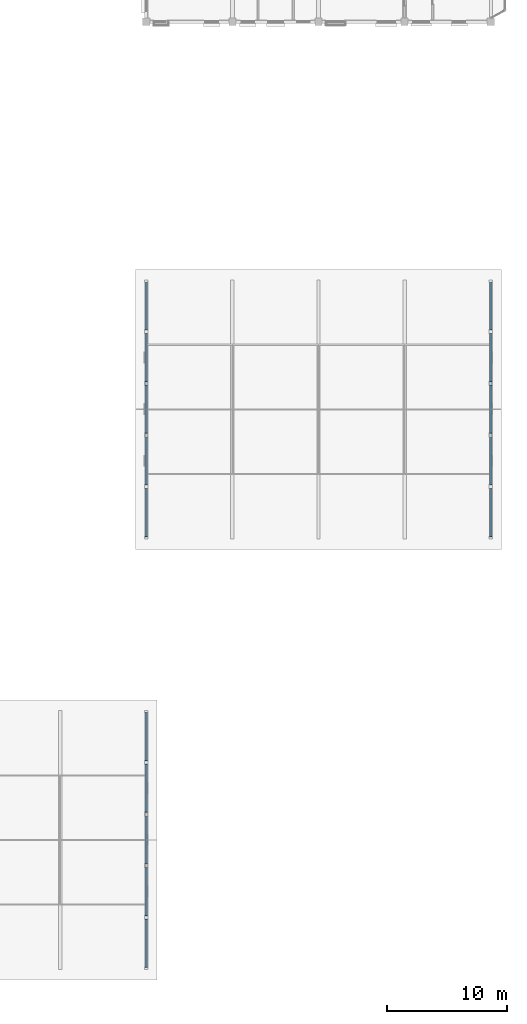
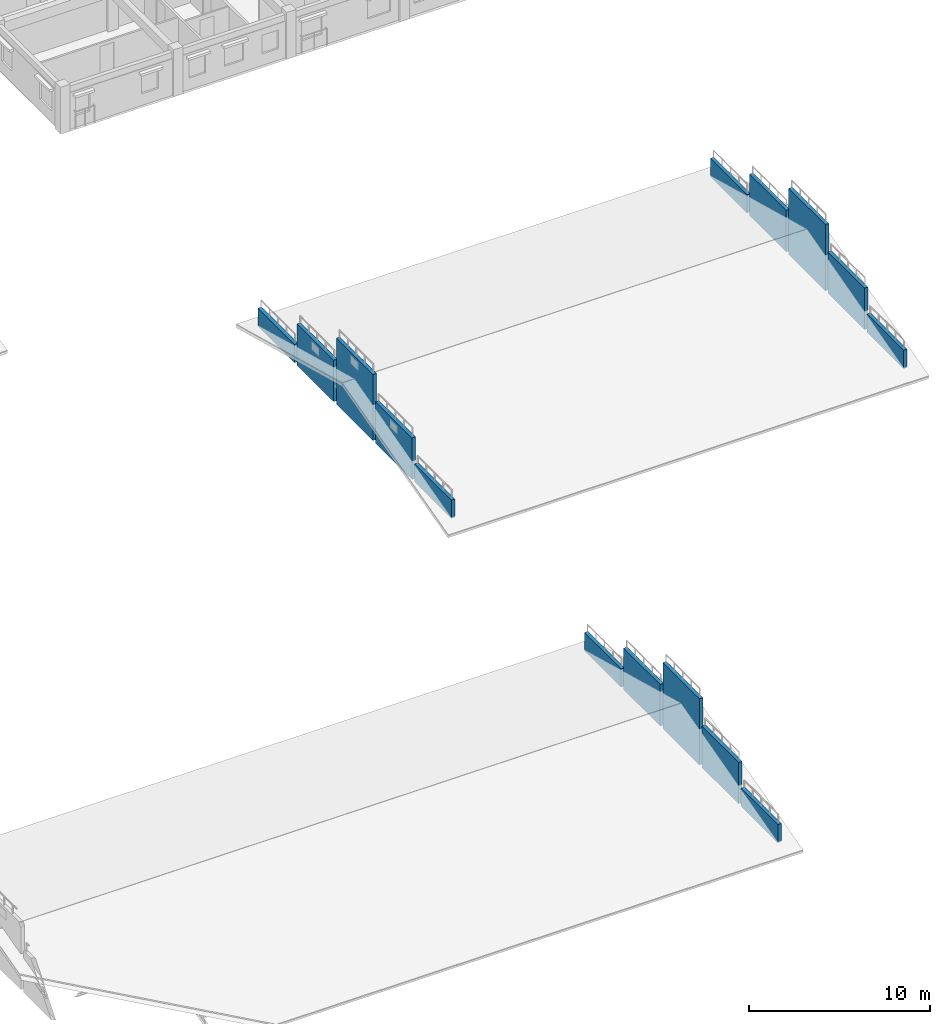
# One storey, part 95 of 124: 15 walls.
"""IFC4 building model written with IfcOpenShell, lengths in metres."""

from ifc_helpers import new_model, si_unit, direction, frame, frame_2d, origin, place, context, subcontext, project, spatial, rectangle, extrude, material, layer, layer_set, type_object, element, save


model = new_model("IFC4")

# Units and contexts
model_context = context("Model", 3, precision=1e-05, world=origin(), true_north=direction((0.0, 1.0)))
body_context = subcontext(model_context, "Body", "Model", "MODEL_VIEW")
ifc_project = project(units=[si_unit("LENGTHUNIT", "METRE"), si_unit("AREAUNIT", "SQUARE_METRE"), si_unit("VOLUMEUNIT", "CUBIC_METRE"), si_unit("PLANEANGLEUNIT", "RADIAN"), si_unit("MASSUNIT", "GRAM", prefix="KILO"), si_unit("THERMODYNAMICTEMPERATUREUNIT", "KELVIN"), si_unit("POWERUNIT", "WATT")], contexts=[model_context])

# Site, building, storey
site_placement = place(None, origin())
site = spatial("IfcSite", under=ifc_project, at=site_placement, CompositionType="ELEMENT")
building_placement = place(site_placement, origin())
building = spatial("IfcBuilding", under=site, at=building_placement, Name="Tavuni Mirador Residences", CompositionType="ELEMENT")
storey_placement = place(building_placement, frame((0.0, 0.0, 7.64990234375)))
storey = spatial("IfcBuildingStorey", under=building, at=storey_placement, Name="L02", CompositionType="ELEMENT", Elevation=7.64990234375)

# Walls
ifc_material = material(Name="Precast concrete C40/50", Category="concrete")
ifc_layer = layer(ifc_material, 0.22509765625, Name="Precast concrete C40/50", Category="concrete")
ifc_layer_set = layer_set([ifc_layer], Name="Precast concrete C40/50")
wall_type = type_object("IfcWallType", Name="WT-PAR225", PredefinedType="PARAPET", material=ifc_layer_set)
wall_1_placement = place(storey_placement, frame((90.0, 43.340087890625, 0.0), z_axis=(0.0, 0.0, 1.0), x_axis=(0.0, 1.0, 0.0)))
element("IfcWall", 1, at=wall_1_placement, inside=storey, type_object=wall_type, Name="CORON-PAV-NURS-X0-0", PredefinedType="PARAPET", context=body_context, shape_type="SweptSolid", body=[
    extrude(rectangle(XDim=4.039794921875, YDim=0.22509765625, at=frame_2d((2.02001953125, 0.0))), origin(), (0.0, 0.0, 1.0), 1.22998046875),
])
wall_2_placement = place(storey_placement, frame((90.0, 47.659912109375, 0.0), z_axis=(0.0, 0.0, 1.0), x_axis=(0.0, 1.0, 0.0)))
element("IfcWall", 2, at=wall_2_placement, inside=storey, type_object=wall_type, Name="CORON-PAV-NURS-X0-1", PredefinedType="PARAPET", context=body_context, shape_type="SweptSolid", body=[
    extrude(rectangle(XDim=4.0400390625, YDim=0.22509765625, at=frame_2d((2.02001953125, 0.0))), origin(), (0.0, 0.0, 1.0), 2.7900390625),
])
wall_3_placement = place(storey_placement, frame((90.0, 51.97998046875, 0.0), z_axis=(0.0, 0.0, 1.0), x_axis=(0.0, 1.0, 0.0)))
element("IfcWall", 3, at=wall_3_placement, inside=storey, type_object=wall_type, Name="CORON-PAV-NURS-X0-2", PredefinedType="PARAPET", context=body_context, shape_type="SweptSolid", body=[
    extrude(rectangle(XDim=4.0400390625, YDim=0.22509765625, at=frame_2d((2.02001953125, 0.0))), origin(), (0.0, 0.0, 1.0), 4.4501953125),
])
wall_4_placement = place(storey_placement, frame((90.0, 56.300048828125, 0.0), z_axis=(0.0, 0.0, 1.0), x_axis=(0.0, 1.0, 0.0)))
element("IfcWall", 4, at=wall_4_placement, inside=storey, type_object=wall_type, Name="CORON-PAV-NURS-X0-3", PredefinedType="PARAPET", context=body_context, shape_type="SweptSolid", body=[
    extrude(rectangle(XDim=4.0400390625, YDim=0.22509765625, at=frame_2d((2.02001953125, 0.0))), origin(), (0.0, 0.0, 1.0), 2.7900390625),
])
for number, where, z_axis, x_axis, name in (
    (5, (90.0, 60.6201171875, 0.0), (0.0, 0.0, 1.0), (0.0, 1.0, 0.0), "CORON-PAV-NURS-X0-4"),
    (6, (118.800048828125, 43.340087890625, 0.0), (0.0, 0.0, 1.0), (0.0, 1.0, 0.0), "CORON-PAV-NURS-X1-0"),
):
    element("IfcWall", number, at=place(storey_placement, frame(where, z_axis=z_axis, x_axis=x_axis)), inside=storey, type_object=wall_type, Name=name, PredefinedType="PARAPET", context=body_context, shape_type="SweptSolid", body=[
        extrude(rectangle(XDim=4.039794921875, YDim=0.22509765625, at=frame_2d((2.02001953125, 0.0))), origin(), (0.0, 0.0, 1.0), 1.22998046875),
    ])
wall_5_placement = place(storey_placement, frame((118.800048828125, 47.659912109375, 0.0), z_axis=(0.0, 0.0, 1.0), x_axis=(0.0, 1.0, 0.0)))
element("IfcWall", 7, at=wall_5_placement, inside=storey, type_object=wall_type, Name="CORON-PAV-NURS-X1-1", PredefinedType="PARAPET", context=body_context, shape_type="SweptSolid", body=[
    extrude(rectangle(XDim=4.0400390625, YDim=0.22509765625, at=frame_2d((2.02001953125, 0.0))), origin(), (0.0, 0.0, 1.0), 2.7900390625),
])
wall_6_placement = place(storey_placement, frame((118.800048828125, 51.97998046875, 0.0), z_axis=(0.0, 0.0, 1.0), x_axis=(0.0, 1.0, 0.0)))
element("IfcWall", 8, at=wall_6_placement, inside=storey, type_object=wall_type, Name="CORON-PAV-NURS-X1-2", PredefinedType="PARAPET", context=body_context, shape_type="SweptSolid", body=[
    extrude(rectangle(XDim=4.0400390625, YDim=0.22509765625, at=frame_2d((2.02001953125, 0.0))), origin(), (0.0, 0.0, 1.0), 4.4501953125),
])
wall_7_placement = place(storey_placement, frame((118.800048828125, 56.300048828125, 0.0), z_axis=(0.0, 0.0, 1.0), x_axis=(0.0, 1.0, 0.0)))
element("IfcWall", 9, at=wall_7_placement, inside=storey, type_object=wall_type, Name="CORON-PAV-NURS-X1-3", PredefinedType="PARAPET", context=body_context, shape_type="SweptSolid", body=[
    extrude(rectangle(XDim=4.0400390625, YDim=0.22509765625, at=frame_2d((2.02001953125, 0.0))), origin(), (0.0, 0.0, 1.0), 2.7900390625),
])
for number, where, z_axis, x_axis, name in (
    (10, (118.800048828125, 60.6201171875, 0.0), (0.0, 0.0, 1.0), (0.0, 1.0, 0.0), "CORON-PAV-NURS-X1-4"),
    (11, (90.0, 7.340087890625, 0.0), (0.0, 0.0, 1.0), (0.0, 1.0, 0.0), "CORON-PAV-SHOP-X1-0"),
):
    element("IfcWall", number, at=place(storey_placement, frame(where, z_axis=z_axis, x_axis=x_axis)), inside=storey, type_object=wall_type, Name=name, PredefinedType="PARAPET", context=body_context, shape_type="SweptSolid", body=[
        extrude(rectangle(XDim=4.039794921875, YDim=0.22509765625, at=frame_2d((2.02001953125, 0.0))), origin(), (0.0, 0.0, 1.0), 1.22998046875),
    ])
wall_8_placement = place(storey_placement, frame((90.0, 11.659912109375, 0.0), z_axis=(0.0, 0.0, 1.0), x_axis=(0.0, 1.0, 0.0)))
element("IfcWall", 12, at=wall_8_placement, inside=storey, type_object=wall_type, Name="CORON-PAV-SHOP-X1-1", PredefinedType="PARAPET", context=body_context, shape_type="SweptSolid", body=[
    extrude(rectangle(XDim=4.0400390625, YDim=0.22509765625, at=frame_2d((2.02001953125, 0.0))), origin(), (0.0, 0.0, 1.0), 2.7900390625),
])
wall_9_placement = place(storey_placement, frame((90.0, 15.97998046875, 0.0), z_axis=(0.0, 0.0, 1.0), x_axis=(0.0, 1.0, 0.0)))
element("IfcWall", 13, at=wall_9_placement, inside=storey, type_object=wall_type, Name="CORON-PAV-SHOP-X1-2", PredefinedType="PARAPET", context=body_context, shape_type="SweptSolid", body=[
    extrude(rectangle(XDim=4.0400390625, YDim=0.22509765625, at=frame_2d((2.02001953125, 0.0))), origin(), (0.0, 0.0, 1.0), 4.4501953125),
])
wall_10_placement = place(storey_placement, frame((90.0, 20.300048828125, 0.0), z_axis=(0.0, 0.0, 1.0), x_axis=(0.0, 1.0, 0.0)))
element("IfcWall", 14, at=wall_10_placement, inside=storey, type_object=wall_type, Name="CORON-PAV-SHOP-X1-3", PredefinedType="PARAPET", context=body_context, shape_type="SweptSolid", body=[
    extrude(rectangle(XDim=4.0400390625, YDim=0.22509765625, at=frame_2d((2.02001953125, 0.0))), origin(), (0.0, 0.0, 1.0), 2.7900390625),
])
wall_11_placement = place(storey_placement, frame((90.0, 24.6201171875, 0.0), z_axis=(0.0, 0.0, 1.0), x_axis=(0.0, 1.0, 0.0)))
element("IfcWall", 15, at=wall_11_placement, inside=storey, type_object=wall_type, Name="CORON-PAV-SHOP-X1-4", PredefinedType="PARAPET", context=body_context, shape_type="SweptSolid", body=[
    extrude(rectangle(XDim=4.039794921875, YDim=0.22509765625, at=frame_2d((2.02001953125, 0.0))), origin(), (0.0, 0.0, 1.0), 1.22998046875),
])

save(model, "model.ifc")
